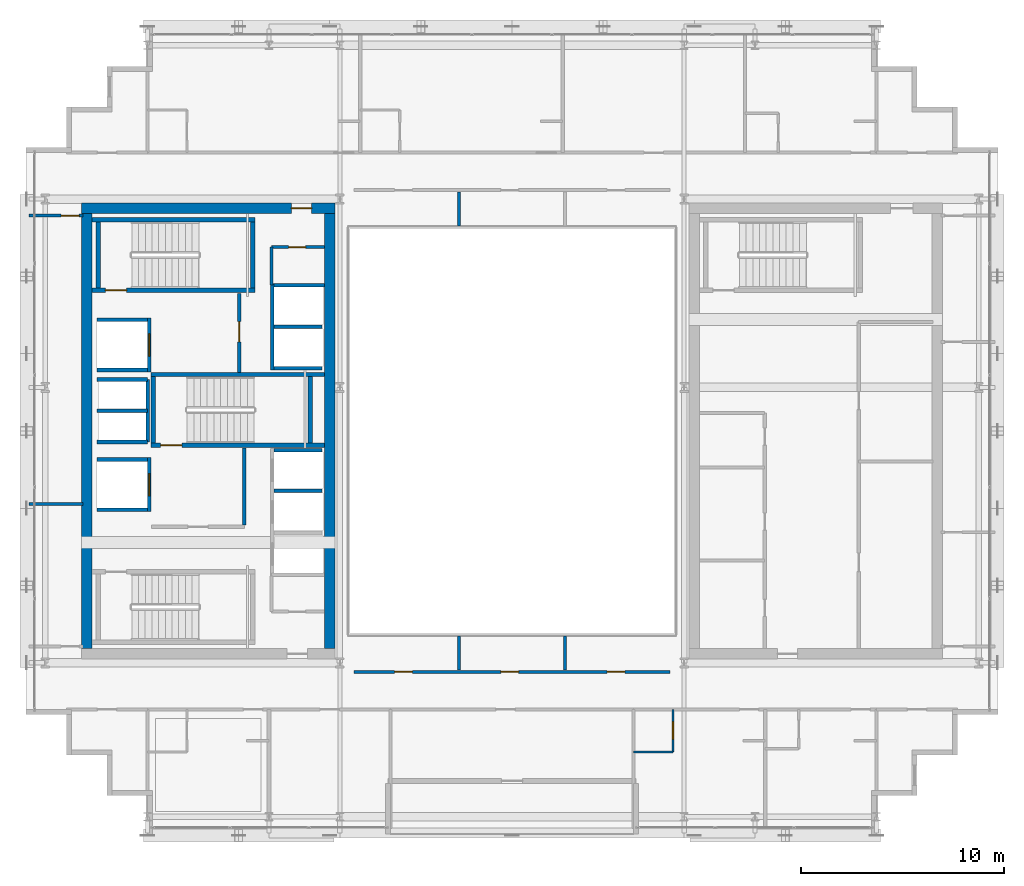
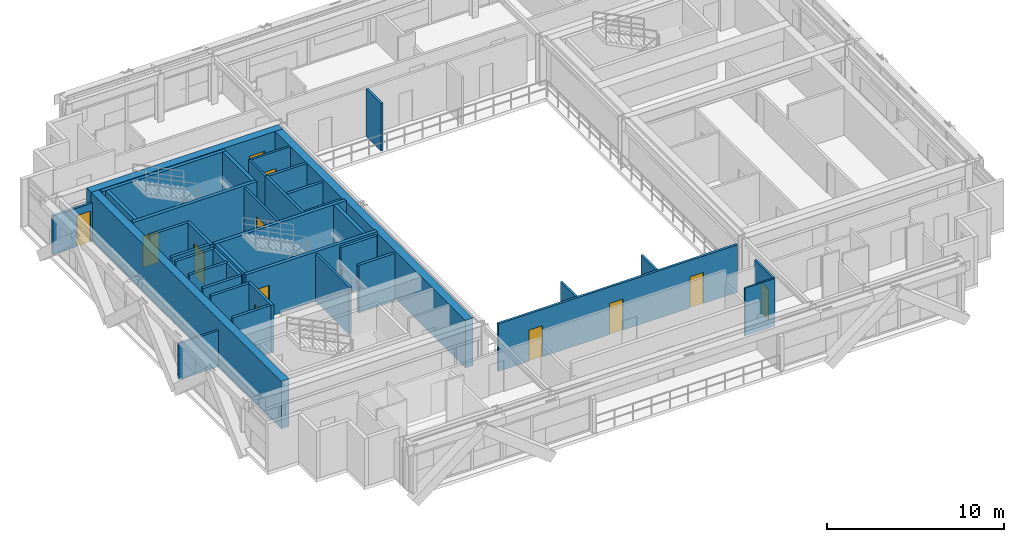
# One storey, part 25 of 32: 39 walls, 12 doors, 12 openings.
"""IFC4 building model written with IfcOpenShell, lengths in metres."""

from ifc_helpers import new_model, si_unit, direction, frame, frame_2d, origin, place, context, subcontext, project, spatial, rectangle, extrude, source, transform, mapped, material, layer, layer_set, type_object, element, fill, save


model = new_model("IFC4")

# Units and contexts
model_context = context("Model", 3, precision=1e-05, world=origin(), true_north=direction((0.0, 1.0)))
body_context = subcontext(model_context, "Body", "Model", "MODEL_VIEW")
ifc_project = project(units=[si_unit("LENGTHUNIT", "METRE"), si_unit("AREAUNIT", "SQUARE_METRE"), si_unit("VOLUMEUNIT", "CUBIC_METRE"), si_unit("PLANEANGLEUNIT", "RADIAN"), si_unit("MASSUNIT", "GRAM", prefix="KILO")], contexts=[model_context])

# Site, building, storey
site_placement = place(None, origin())
site = spatial("IfcSite", under=ifc_project, at=site_placement, CompositionType="ELEMENT")
building_placement = place(site_placement, origin())
building = spatial("IfcBuilding", under=site, at=building_placement, Name="Ocotamira Hotel", CompositionType="ELEMENT")
storey_placement = place(building_placement, frame((0.0, 0.0, 217.199951171875)))
storey = spatial("IfcBuildingStorey", under=building, at=storey_placement, Name="L55", CompositionType="ELEMENT", Elevation=217.199951171875)

# Wall, opening, door
ifc_material_1 = material(Name="Concrete C50/60", Category="concrete")
ifc_layer_1 = layer(ifc_material_1, 0.5)
ifc_layer_set_1 = layer_set([ifc_layer_1], Name="Concrete C50/60")
wall_type_1 = type_object("IfcWallType", Name="WL-CORE-500", PredefinedType="SHEAR", material=ifc_layer_set_1)
wall_1_placement = place(storey_placement, frame((10.75, 37.0, 0.0), z_axis=(0.0, 0.0, 1.0), x_axis=(1.0, 0.0, 0.0)))
wall_1 = element("IfcWall", 1, at=wall_1_placement, inside=storey, type_object=wall_type_1, Name="L55 Shear Core Wall WCORE-N", PredefinedType="SHEAR", context=body_context, shape_type="SweptSolid", body=[
    extrude(rectangle(XDim=12.5, YDim=0.5, at=frame_2d((6.25, 0.0))), origin(), (0.0, 0.0, 1.0), 3.280029296875),
])
opening_1_placement = place(wall_1_placement, frame((10.35009765625, 0.0, 0.0)))
opening_1 = element("IfcOpeningElement", 2, at=opening_1_placement, cuts=wall_1, Name="Opening D-FR2", PredefinedType="OPENING", context=body_context, shape_type="SweptSolid", body=[
    extrude(rectangle(XDim=1.0, YDim=2.14990234375, at=frame_2d((0.5, 1.074951171875))), frame((0.0, 0.260009765625, 0.0), z_axis=(0.0, -1.0, 0.0), x_axis=(1.0, 0.0, 0.0)), (0.0, 0.0, 1.0), 0.52001953125),
])
ifc_material_2 = material(Name="Fire-rated acoustic timber-veneer door", Category="wood")
door_type_1 = type_object("IfcDoorType", Name="DR-FIRE-1000", OperationType="NOTDEFINED", PredefinedType="DOOR", material=ifc_material_2)
shared_shape_1 = source(origin(), body_context, "Body", "SweptSolid", [
    extrude(rectangle(XDim=1.0, YDim=2.14990234375, at=frame_2d((0.5, 1.074951171875))), frame((0.0, 0.02490234375, 0.0), z_axis=(0.0, -1.0, 0.0), x_axis=(1.0, 0.0, 0.0)), (0.0, 0.0, 1.0), 0.050048828125),
])
door_1_placement = place(opening_1_placement, origin())
door_1 = element("IfcDoor", 3, at=door_1_placement, inside=storey, type_object=door_type_1, Name="L55 Door ID-L55-WLOB-N-D [ID-L55-WLOB-N-D]", OperationType="SINGLE_SWING_RIGHT", OverallHeight=2.14990234375, OverallWidth=1.0, PredefinedType="DOOR", context=body_context, shape_type="MappedRepresentation", body=[
    mapped(shared_shape_1, transform((0.0, 0.0, 0.0), scale=1.0)),
])
fill(opening_1, door_1)

# Walls
for number, where, z_axis, x_axis, name in (
    (4, (11.0, 15.25, 0.0), (0.0, 0.0, 1.0), (0.0, 1.0, 0.0), "L55 Shear Core Wall WCORE-W"),
    (5, (23.0, 15.25, 0.0), (0.0, 0.0, 1.0), (0.0, 1.0, 0.0), "L55 Shear Core Wall WCORE-E"),
):
    element("IfcWall", number, at=place(storey_placement, frame(where, z_axis=z_axis, x_axis=x_axis)), inside=storey, type_object=wall_type_1, Name=name, PredefinedType="SHEAR", context=body_context, shape_type="SweptSolid", body=[
        extrude(rectangle(XDim=21.5, YDim=0.5, at=frame_2d((10.75, 0.0))), origin(), (0.0, 0.0, 1.0), 3.280029296875),
    ])
ifc_material_3 = material(Name="Acoustic double-layer fire gypsum board partition", Category="gypsum")
ifc_layer_2 = layer(ifc_material_3, 0.159912109375)
ifc_layer_set_2 = layer_set([ifc_layer_2], Name="Acoustic double-layer fire gypsum board partition")
wall_type_2 = type_object("IfcWallType", Name="WL-FIRE-160", PredefinedType="PARTITIONING", material=ifc_layer_set_2)
wall_2_placement = place(storey_placement, frame((18.780029296875, 21.35009765625, 0.0), z_axis=(0.0, 0.0, 1.0), x_axis=(0.0, 1.0, 0.0)))
element("IfcWall", 6, at=wall_2_placement, inside=storey, type_object=wall_type_2, Name="L55 Interior Wall PW-L55-FSAE1-E", PredefinedType="PARTITIONING", context=body_context, shape_type="SweptSolid", body=[
    extrude(rectangle(XDim=3.809814453125, YDim=0.159912109375, at=frame_2d((1.90478515625, 0.0))), origin(), (0.0, 0.0, 1.0), 3.280029296875),
])

# Wall, opening, door
wall_3_placement = place(storey_placement, frame((18.530029296875, 28.89990234375, 0.0), z_axis=(0.0, 0.0, 1.0), x_axis=(0.0, 1.0, 0.0)))
wall_3 = element("IfcWall", 7, at=wall_3_placement, inside=storey, type_object=wall_type_2, Name="L55 Interior Wall PW-L55-FSAE2-E", PredefinedType="PARTITIONING", context=body_context, shape_type="SweptSolid", body=[
    extrude(rectangle(XDim=3.900146484375, YDim=0.159912109375, at=frame_2d((1.9501953125, 0.0))), origin(), (0.0, 0.0, 1.0), 3.280029296875),
])
opening_2_placement = place(wall_3_placement, frame((1.5, 0.0, 0.0)))
opening_2 = element("IfcOpeningElement", 8, at=opening_2_placement, cuts=wall_3, Name="Opening D-FR2", PredefinedType="OPENING", context=body_context, shape_type="SweptSolid", body=[
    extrude(rectangle(XDim=1.0, YDim=2.14990234375, at=frame_2d((0.5, 1.074951171875))), frame((0.0, 0.08984375, 0.0), z_axis=(0.0, -1.0, 0.0), x_axis=(1.0, 0.0, 0.0)), (0.0, 0.0, 1.0), 0.179931640625),
])
door_2_placement = place(opening_2_placement, origin())
door_2 = element("IfcDoor", 9, at=door_2_placement, inside=storey, type_object=door_type_1, Name="L55 Door ID-L55-FSAE2-D [ID-L55-FSAE2-D]", OperationType="SINGLE_SWING_RIGHT", OverallHeight=2.14990234375, OverallWidth=1.0, PredefinedType="DOOR", context=body_context, shape_type="MappedRepresentation", body=[
    mapped(shared_shape_1, transform((0.0, 0.0, 0.0), scale=1.0)),
])
fill(opening_2, door_2)

ifc_material_4 = material(Name="Moisture-resistant en-suite tile and gypsum partition", Category="gypsum")
ifc_layer_3 = layer(ifc_material_4, 0.1201171875)
ifc_layer_set_3 = layer_set([ifc_layer_3], Name="Moisture-resistant en-suite tile and gypsum partition")
wall_type_3 = type_object("IfcWallType", Name="WL-PART-120", PredefinedType="PARTITIONING", material=ifc_layer_set_3)
wall_4_placement = place(storey_placement, frame((39.949951171875, 10.14990234375, 0.0), z_axis=(0.0, 0.0, 1.0), x_axis=(0.0, 1.0, 0.0)))
wall_4 = element("IfcWall", 10, at=wall_4_placement, inside=storey, type_object=wall_type_3, Name="L55 Interior Wall PW-L55-Z3FSE-BAE1", PredefinedType="PARTITIONING", context=body_context, shape_type="SweptSolid", body=[
    extrude(rectangle(XDim=2.10009765625, YDim=0.1201171875, at=frame_2d((1.050048828125, 0.0))), origin(), (0.0, 0.0, 1.0), 3.280029296875),
])
opening_3_placement = place(wall_4_placement, frame((0.6201171875, 0.0, 0.0)))
opening_3 = element("IfcOpeningElement", 11, at=opening_3_placement, cuts=wall_4, Name="Opening D-BA1", PredefinedType="OPENING", context=body_context, shape_type="SweptSolid", body=[
    extrude(rectangle(XDim=0.860107421875, YDim=2.10009765625, at=frame_2d((0.43017578125, 1.050048828125))), frame((0.0, 0.070068359375, 0.0), z_axis=(0.0, -1.0, 0.0), x_axis=(1.0, 0.0, 0.0)), (0.0, 0.0, 1.0), 0.14013671875),
])
ifc_material_5 = material(Name="Moisture-sealed en-suite timber door", Category="wood")
door_type_2 = type_object("IfcDoorType", Name="DR-BATH-860", OperationType="NOTDEFINED", PredefinedType="DOOR", material=ifc_material_5)
shared_shape_2 = source(origin(), body_context, "Body", "SweptSolid", [
    extrude(rectangle(XDim=0.860107421875, YDim=2.10009765625, at=frame_2d((0.43017578125, 1.050048828125))), frame((0.0, 0.02490234375, 0.0), z_axis=(0.0, -1.0, 0.0), x_axis=(1.0, 0.0, 0.0)), (0.0, 0.0, 1.0), 0.050048828125),
])
door_3_placement = place(opening_3_placement, origin())
door_3 = element("IfcDoor", 12, at=door_3_placement, inside=storey, type_object=door_type_2, Name="L55 Door ID-L55-Z3FSE-BAD1 [ID-L55-Z3FSE-BAD1]", OperationType="SINGLE_SWING_RIGHT", OverallHeight=2.10009765625, OverallWidth=0.860107421875, PredefinedType="DOOR", context=body_context, shape_type="MappedRepresentation", body=[
    mapped(shared_shape_2, transform((0.0, 0.0, 0.0), scale=1.0)),
])
fill(opening_3, door_3)

# Walls
wall_5_placement = place(storey_placement, frame((38.0, 10.14990234375, 0.0), z_axis=(0.0, 0.0, 1.0), x_axis=(1.0, 0.0, 0.0)))
element("IfcWall", 13, at=wall_5_placement, inside=storey, type_object=wall_type_3, Name="L55 Interior Wall PW-L55-Z3FSE-BAS1", PredefinedType="PARTITIONING", context=body_context, shape_type="SweptSolid", body=[
    extrude(rectangle(XDim=1.949951171875, YDim=0.1201171875, at=frame_2d((0.97509765625, 0.0))), origin(), (0.0, 0.0, 1.0), 3.280029296875),
])
ifc_material_6 = material(Name="Acoustic hospitality gypsum board partition", Category="gypsum")
ifc_layer_4 = layer(ifc_material_6, 0.14208984375)
ifc_layer_set_4 = layer_set([ifc_layer_4], Name="Acoustic hospitality gypsum board partition")
wall_type_4 = type_object("IfcWallType", Name="WL-PART-142", PredefinedType="PARTITIONING", material=ifc_layer_set_4)
wall_6_placement = place(storey_placement, frame((20.1201171875, 33.219970703125, 0.0), z_axis=(0.0, 0.0, 1.0), x_axis=(0.0, 1.0, 0.0)))
element("IfcWall", 14, at=wall_6_placement, inside=storey, type_object=wall_type_4, Name="L55 Interior Wall PW-L55-WC-NE-W2", PredefinedType="PARTITIONING", context=body_context, shape_type="SweptSolid", body=[
    extrude(rectangle(XDim=1.860107421875, YDim=0.14208984375, at=frame_2d((0.93017578125, 0.0))), origin(), (0.0, 0.0, 1.0), 3.280029296875),
])

# Wall, opening, door
wall_7_placement = place(storey_placement, frame((20.1201171875, 35.080078125, 0.0), z_axis=(0.0, 0.0, 1.0), x_axis=(1.0, 0.0, 0.0)))
wall_7 = element("IfcWall", 15, at=wall_7_placement, inside=storey, type_object=wall_type_4, Name="L55 Interior Wall PW-L55-WC-NE-N2", PredefinedType="PARTITIONING", context=body_context, shape_type="SweptSolid", body=[
    extrude(rectangle(XDim=2.6298828125, YDim=0.14208984375, at=frame_2d((1.31494140625, 0.0))), origin(), (0.0, 0.0, 1.0), 3.280029296875),
])
opening_4_placement = place(wall_7_placement, frame((0.85009765625, 0.0, 0.0)))
opening_4 = element("IfcOpeningElement", 16, at=opening_4_placement, cuts=wall_7, Name="Opening D-SV1", PredefinedType="OPENING", context=body_context, shape_type="SweptSolid", body=[
    extrude(rectangle(XDim=0.840087890625, YDim=2.10009765625, at=frame_2d((0.419921875, 1.050048828125))), frame((0.0, 0.0810546875, 0.0), z_axis=(0.0, -1.0, 0.0), x_axis=(1.0, 0.0, 0.0)), (0.0, 0.0, 1.0), 0.162109375),
])
ifc_material_7 = material(Name="Fire-rated painted steel service door", Category="steel")
door_type_3 = type_object("IfcDoorType", Name="DR-SERV-840", OperationType="NOTDEFINED", PredefinedType="DOOR", material=ifc_material_7)
shared_shape_3 = source(origin(), body_context, "Body", "SweptSolid", [
    extrude(rectangle(XDim=0.840087890625, YDim=2.10009765625, at=frame_2d((0.419921875, 1.050048828125))), frame((0.0, 0.02490234375, 0.0), z_axis=(0.0, -1.0, 0.0), x_axis=(1.0, 0.0, 0.0)), (0.0, 0.0, 1.0), 0.050048828125),
])
door_4_placement = place(opening_4_placement, origin())
door_4 = element("IfcDoor", 17, at=door_4_placement, inside=storey, type_object=door_type_3, Name="L55 Door ID-L55-WC-NE-D2 [ID-L55-WC-NE-D2]", OperationType="SINGLE_SWING_RIGHT", OverallHeight=2.10009765625, OverallWidth=0.840087890625, PredefinedType="DOOR", context=body_context, shape_type="MappedRepresentation", body=[
    mapped(shared_shape_3, transform((0.0, 0.0, 0.0), scale=1.0)),
])
fill(opening_4, door_4)

# Walls
for number, where, z_axis, x_axis, name in (
    (18, (29.375, 14.199951171875, 0.0), (0.0, 0.0, 1.0), (0.0, 1.0, 0.0), "L55 Interior Wall PW-L55-Z3F-ASDV1"),
    (19, (29.375, 36.1201171875, 0.0), (0.0, 0.0, 1.0), (0.0, 1.0, 0.0), "L55 Interior Wall PW-L55-Z3F-ANDV1"),
    (20, (34.625, 14.199951171875, 0.0), (0.0, 0.0, 1.0), (0.0, 1.0, 0.0), "L55 Interior Wall PW-L55-Z3F-ASDV2"),
):
    element("IfcWall", number, at=place(storey_placement, frame(where, z_axis=z_axis, x_axis=x_axis)), inside=storey, type_object=wall_type_4, Name=name, PredefinedType="PARTITIONING", context=body_context, shape_type="SweptSolid", body=[
        extrude(rectangle(XDim=1.679931640625, YDim=0.14208984375, at=frame_2d((0.83984375, 0.0))), origin(), (0.0, 0.0, 1.0), 3.280029296875),
    ])
wall_8_placement = place(storey_placement, frame((8.159912109375, 22.39990234375, 0.0), z_axis=(0.0, 0.0, 1.0), x_axis=(1.0, 0.0, 0.0)))
element("IfcWall", 21, at=wall_8_placement, inside=storey, type_object=wall_type_4, Name="L55 Interior Wall PW-L55-Z3F-WF-DV1", PredefinedType="PARTITIONING", context=body_context, shape_type="SweptSolid", body=[
    extrude(rectangle(XDim=2.66015625, YDim=0.14208984375, at=frame_2d((1.330078125, 0.0))), origin(), (0.0, 0.0, 1.0), 2.5009765625),
])

# Wall, openings, doors
ifc_layer_5 = layer(ifc_material_6, 0.14990234375)
ifc_layer_set_5 = layer_set([ifc_layer_5], Name="Acoustic hospitality gypsum board partition")
wall_type_5 = type_object("IfcWallType", Name="WL-PART-150", PredefinedType="PARTITIONING", material=ifc_layer_set_5)
wall_9_placement = place(storey_placement, frame((24.199951171875, 14.10009765625, 0.0), z_axis=(0.0, 0.0, 1.0), x_axis=(1.0, 0.0, 0.0)))
wall_9 = element("IfcWall", 22, at=wall_9_placement, inside=storey, type_object=wall_type_5, Name="L55 Interior Wall PW-L55-Z3F-ATRSW", PredefinedType="PARTITIONING", context=body_context, shape_type="SweptSolid", body=[
    extrude(rectangle(XDim=15.60009765625, YDim=0.14990234375, at=frame_2d((7.800048828125, 0.0))), origin(), (0.0, 0.0, 1.0), 3.280029296875),
])
opening_5_placement = place(wall_9_placement, frame((2.0, 0.0, 0.0)))
opening_5 = element("IfcOpeningElement", 23, at=opening_5_placement, cuts=wall_9, Name="Opening D-SV2", PredefinedType="OPENING", context=body_context, shape_type="SweptSolid", body=[
    extrude(rectangle(XDim=0.8798828125, YDim=2.14990234375, at=frame_2d((0.43994140625, 1.074951171875))), frame((0.0, 0.0849609375, 0.0), z_axis=(0.0, -1.0, 0.0), x_axis=(1.0, 0.0, 0.0)), (0.0, 0.0, 1.0), 0.169921875),
])
opening_6_placement = place(wall_9_placement, frame((7.25, 0.0, 0.0)))
opening_6 = element("IfcOpeningElement", 24, at=opening_6_placement, cuts=wall_9, Name="Opening D-SV2", PredefinedType="OPENING", context=body_context, shape_type="SweptSolid", body=[
    extrude(rectangle(XDim=0.8798828125, YDim=2.14990234375, at=frame_2d((0.43994140625, 1.074951171875))), frame((0.0, 0.0849609375, 0.0), z_axis=(0.0, -1.0, 0.0), x_axis=(1.0, 0.0, 0.0)), (0.0, 0.0, 1.0), 0.169921875),
])
opening_7_placement = place(wall_9_placement, frame((12.5, 0.0, 0.0)))
opening_7 = element("IfcOpeningElement", 25, at=opening_7_placement, cuts=wall_9, Name="Opening D-SV2", PredefinedType="OPENING", context=body_context, shape_type="SweptSolid", body=[
    extrude(rectangle(XDim=0.8798828125, YDim=2.14990234375, at=frame_2d((0.43994140625, 1.074951171875))), frame((0.0, 0.0849609375, 0.0), z_axis=(0.0, -1.0, 0.0), x_axis=(1.0, 0.0, 0.0)), (0.0, 0.0, 1.0), 0.169921875),
])
door_type_4 = type_object("IfcDoorType", Name="DR-SERV-880", OperationType="NOTDEFINED", PredefinedType="DOOR", material=ifc_material_7)
shared_shape_4 = source(origin(), body_context, "Body", "SweptSolid", [
    extrude(rectangle(XDim=0.8798828125, YDim=2.14990234375, at=frame_2d((0.43994140625, 1.074951171875))), frame((0.0, 0.02490234375, 0.0), z_axis=(0.0, -1.0, 0.0), x_axis=(1.0, 0.0, 0.0)), (0.0, 0.0, 1.0), 0.050048828125),
])
door_5_placement = place(opening_5_placement, origin())
door_5 = element("IfcDoor", 26, at=door_5_placement, inside=storey, type_object=door_type_4, Name="L55 Door ID-L55-Z3F-ASDD1 [ID-L55-Z3F-ASDD1]", OperationType="SINGLE_SWING_LEFT", OverallHeight=2.14990234375, OverallWidth=0.8798828125, PredefinedType="DOOR", context=body_context, shape_type="MappedRepresentation", body=[
    mapped(shared_shape_4, transform((0.0, 0.0, 0.0), scale=1.0)),
])
fill(opening_5, door_5)
door_6_placement = place(opening_6_placement, origin())
door_6 = element("IfcDoor", 27, at=door_6_placement, inside=storey, type_object=door_type_4, Name="L55 Door ID-L55-Z3F-ASDD2 [ID-L55-Z3F-ASDD2]", OperationType="SINGLE_SWING_LEFT", OverallHeight=2.14990234375, OverallWidth=0.8798828125, PredefinedType="DOOR", context=body_context, shape_type="MappedRepresentation", body=[
    mapped(shared_shape_4, transform((0.0, 0.0, 0.0), scale=1.0)),
])
fill(opening_6, door_6)
door_7_placement = place(opening_7_placement, origin())
door_7 = element("IfcDoor", 28, at=door_7_placement, inside=storey, type_object=door_type_4, Name="L55 Door ID-L55-Z3F-ASDD3 [ID-L55-Z3F-ASDD3]", OperationType="SINGLE_SWING_LEFT", OverallHeight=2.14990234375, OverallWidth=0.8798828125, PredefinedType="DOOR", context=body_context, shape_type="MappedRepresentation", body=[
    mapped(shared_shape_4, transform((0.0, 0.0, 0.0), scale=1.0)),
])
fill(opening_7, door_7)

# Wall, opening, door
wall_10_placement = place(storey_placement, frame((8.159912109375, 36.639892578125, 0.0), z_axis=(0.0, 0.0, 1.0), x_axis=(1.0, 0.0, 0.0)))
wall_10 = element("IfcWall", 29, at=wall_10_placement, inside=storey, type_object=wall_type_5, Name="L55 Interior Wall PW-L55-Z3F-WF-WN", PredefinedType="PARTITIONING", context=body_context, shape_type="SweptSolid", body=[
    extrude(rectangle(XDim=2.66015625, YDim=0.14990234375, at=frame_2d((1.330078125, 0.0))), origin(), (0.0, 0.0, 1.0), 2.6630859375),
])
opening_8_placement = place(wall_10_placement, frame((1.580078125, 0.0, 0.0)))
opening_8 = element("IfcOpeningElement", 30, at=opening_8_placement, cuts=wall_10, Name="Opening D-SV2", PredefinedType="OPENING", context=body_context, shape_type="SweptSolid", body=[
    extrude(rectangle(XDim=0.8798828125, YDim=2.14990234375, at=frame_2d((0.43994140625, 1.074951171875))), frame((0.0, 0.0849609375, 0.0), z_axis=(0.0, -1.0, 0.0), x_axis=(1.0, 0.0, 0.0)), (0.0, 0.0, 1.0), 0.169921875),
])
door_8_placement = place(opening_8_placement, origin())
door_8 = element("IfcDoor", 31, at=door_8_placement, inside=storey, type_object=door_type_4, Name="L55 Door ID-L55-Z3F-WF-DN [ID-L55-Z3F-WF-DN]", OperationType="SINGLE_SWING_RIGHT", OverallHeight=2.14990234375, OverallWidth=0.8798828125, PredefinedType="DOOR", context=body_context, shape_type="MappedRepresentation", body=[
    mapped(shared_shape_4, transform((0.0, 0.0, 0.0), scale=1.0)),
])
fill(opening_8, door_8)

# Walls
ifc_material_8 = material(Name="Fire-rated gypsum shaftliner board assembly", Category="gypsum")
ifc_layer_6 = layer(ifc_material_8, 0.179931640625)
ifc_layer_set_6 = layer_set([ifc_layer_6], Name="Fire-rated gypsum shaftliner board assembly")
wall_type_6 = type_object("IfcWallType", Name="WL-SHAFT-180", PredefinedType="SOLIDWALL", material=ifc_layer_set_6)
for number, where, z_axis, x_axis, name in (
    (32, (20.25, 25.050048828125, 0.0), (0.0, 0.0, 1.0), (1.0, 0.0, 0.0), "L55 Interior Wall PW-L55-LFW-BANK-high-N"),
    (33, (20.25, 23.044921875, 0.0), (0.0, 0.0, 1.0), (1.0, 0.0, 0.0), "L55 Interior Wall PW-L55-LFW-DIV-LF-P8"),
):
    element("IfcWall", number, at=place(storey_placement, frame(where, z_axis=z_axis, x_axis=x_axis)), inside=storey, type_object=wall_type_6, Name=name, PredefinedType="SOLIDWALL", context=body_context, shape_type="SweptSolid", body=[
        extrude(rectangle(XDim=2.360107421875, YDim=0.179931640625, at=frame_2d((1.18017578125, 0.0))), origin(), (0.0, 0.0, 1.0), 3.280029296875),
    ])
wall_11_placement = place(storey_placement, frame((20.159912109375, 29.0, 0.0), z_axis=(0.0, 0.0, 1.0), x_axis=(0.0, 1.0, 0.0)))
element("IfcWall", 34, at=wall_11_placement, inside=storey, type_object=wall_type_6, Name="L55 Interior Wall PW-L55-LFW-BANK-obs-F", PredefinedType="SOLIDWALL", context=body_context, shape_type="SweptSolid", body=[
    extrude(rectangle(XDim=4.2900390625, YDim=0.179931640625, at=frame_2d((2.14501953125, 0.0))), origin(), (0.0, 0.0, 1.0), 3.280029296875),
])
wall_12_placement = place(storey_placement, frame((20.25, 29.090087890625, 0.0), z_axis=(0.0, 0.0, 1.0), x_axis=(1.0, 0.0, 0.0)))
element("IfcWall", 35, at=wall_12_placement, inside=storey, type_object=wall_type_6, Name="L55 Interior Wall PW-L55-LFW-BANK-obs-S", PredefinedType="SOLIDWALL", context=body_context, shape_type="SweptSolid", body=[
    extrude(rectangle(XDim=2.360107421875, YDim=0.179931640625, at=frame_2d((1.18017578125, 0.0))), origin(), (0.0, 0.0, 1.0), 3.280029296875),
])
wall_13_placement = place(storey_placement, frame((20.25, 33.199951171875, 0.0), z_axis=(0.0, 0.0, 1.0), x_axis=(1.0, 0.0, 0.0)))
element("IfcWall", 36, at=wall_13_placement, inside=storey, type_object=wall_type_6, Name="L55 Interior Wall PW-L55-LFW-BANK-obs-N", PredefinedType="SOLIDWALL", context=body_context, shape_type="SweptSolid", body=[
    extrude(rectangle(XDim=2.5, YDim=0.179931640625, at=frame_2d((1.25, 0.0))), origin(), (0.0, 0.0, 1.0), 3.280029296875),
])
wall_14_placement = place(storey_placement, frame((20.25, 31.14501953125, 0.0), z_axis=(0.0, 0.0, 1.0), x_axis=(1.0, 0.0, 0.0)))
element("IfcWall", 37, at=wall_14_placement, inside=storey, type_object=wall_type_6, Name="L55 Interior Wall PW-L55-LFW-DIV-LF-OBS1", PredefinedType="SOLIDWALL", context=body_context, shape_type="SweptSolid", body=[
    extrude(rectangle(XDim=2.360107421875, YDim=0.179931640625, at=frame_2d((1.18017578125, 0.0))), origin(), (0.0, 0.0, 1.0), 3.280029296875),
])
for number, where, z_axis, x_axis, name in (
    (38, (11.5, 22.110107421875, 0.0), (0.0, 0.0, 1.0), (1.0, 0.0, 0.0), "L55 Interior Wall PW-L55-LFW-LF-FSAE1-S"),
    (39, (11.5, 24.590087890625, 0.0), (0.0, 0.0, 1.0), (1.0, 0.0, 0.0), "L55 Interior Wall PW-L55-LFW-LF-FSAE1-N"),
):
    element("IfcWall", number, at=place(storey_placement, frame(where, z_axis=z_axis, x_axis=x_axis)), inside=storey, type_object=wall_type_6, Name=name, PredefinedType="SOLIDWALL", context=body_context, shape_type="SweptSolid", body=[
        extrude(rectangle(XDim=2.5, YDim=0.179931640625, at=frame_2d((1.25, 0.0))), origin(), (0.0, 0.0, 1.0), 3.280029296875),
    ])

# Wall, opening, door
wall_15_placement = place(storey_placement, frame((14.090087890625, 22.02001953125, 0.0), z_axis=(0.0, 0.0, 1.0), x_axis=(0.0, 1.0, 0.0)))
wall_15 = element("IfcWall", 40, at=wall_15_placement, inside=storey, type_object=wall_type_6, Name="L55 Interior Wall PW-L55-LFW-LF-FSAE1-E", PredefinedType="SOLIDWALL", context=body_context, shape_type="SweptSolid", body=[
    extrude(rectangle(XDim=2.659912109375, YDim=0.179931640625, at=frame_2d((1.330078125, 0.0))), origin(), (0.0, 0.0, 1.0), 3.280029296875),
])
opening_9_placement = place(wall_15_placement, frame((0.780029296875, 0.0, 0.0)))
opening_9 = element("IfcOpeningElement", 41, at=opening_9_placement, cuts=wall_15, Name="Opening LD-LF-FSAE1", PredefinedType="OPENING", context=body_context, shape_type="SweptSolid", body=[
    extrude(rectangle(XDim=1.10009765625, YDim=2.199951171875, at=frame_2d((0.550048828125, 1.10009765625))), frame((0.0, 0.10009765625, 0.0), z_axis=(0.0, -1.0, 0.0), x_axis=(1.0, 0.0, 0.0)), (0.0, 0.0, 1.0), 0.199951171875),
])
ifc_material_9 = material(Name="Brushed pale-metal stainless elevator landing door", Category="steel")
door_type_5 = type_object("IfcDoorType", Name="DR-LIFT-1100", OperationType="NOTDEFINED", PredefinedType="DOOR", material=ifc_material_9)
shared_shape_5 = source(origin(), body_context, "Body", "SweptSolid", [
    extrude(rectangle(XDim=1.10009765625, YDim=2.199951171875, at=frame_2d((0.550048828125, 1.10009765625))), frame((0.0, 0.02490234375, 0.0), z_axis=(0.0, -1.0, 0.0), x_axis=(1.0, 0.0, 0.0)), (0.0, 0.0, 1.0), 0.050048828125),
])
door_9_placement = place(opening_9_placement, origin())
door_9 = element("IfcDoor", 42, at=door_9_placement, inside=storey, type_object=door_type_5, Name="L55 Landing Door LD-LF-FSAE1 [ID-L55-LD-LF-FSAE1]", OperationType="DOUBLE_DOOR_SLIDING", OverallHeight=2.199951171875, OverallWidth=1.10009765625, PredefinedType="DOOR", context=body_context, shape_type="MappedRepresentation", body=[
    mapped(shared_shape_5, transform((0.0, 0.0, 0.0), scale=1.0)),
])
fill(opening_9, door_9)

# Walls
for number, where, z_axis, x_axis, name in (
    (43, (11.5, 29.010009765625, 0.0), (0.0, 0.0, 1.0), (1.0, 0.0, 0.0), "L55 Interior Wall PW-L55-LFW-LF-FSAE2-S"),
    (44, (11.5, 31.489990234375, 0.0), (0.0, 0.0, 1.0), (1.0, 0.0, 0.0), "L55 Interior Wall PW-L55-LFW-LF-FSAE2-N"),
):
    element("IfcWall", number, at=place(storey_placement, frame(where, z_axis=z_axis, x_axis=x_axis)), inside=storey, type_object=wall_type_6, Name=name, PredefinedType="SOLIDWALL", context=body_context, shape_type="SweptSolid", body=[
        extrude(rectangle(XDim=2.5, YDim=0.179931640625, at=frame_2d((1.25, 0.0))), origin(), (0.0, 0.0, 1.0), 3.280029296875),
    ])

# Wall, opening, door
wall_16_placement = place(storey_placement, frame((14.090087890625, 28.919921875, 0.0), z_axis=(0.0, 0.0, 1.0), x_axis=(0.0, 1.0, 0.0)))
wall_16 = element("IfcWall", 45, at=wall_16_placement, inside=storey, type_object=wall_type_6, Name="L55 Interior Wall PW-L55-LFW-LF-FSAE2-E", PredefinedType="SOLIDWALL", context=body_context, shape_type="SweptSolid", body=[
    extrude(rectangle(XDim=2.66015625, YDim=0.179931640625, at=frame_2d((1.330078125, 0.0))), origin(), (0.0, 0.0, 1.0), 3.280029296875),
])
opening_10_placement = place(wall_16_placement, frame((0.780029296875, 0.0, 0.0)))
opening_10 = element("IfcOpeningElement", 46, at=opening_10_placement, cuts=wall_16, Name="Opening LD-LF-FSAE2", PredefinedType="OPENING", context=body_context, shape_type="SweptSolid", body=[
    extrude(rectangle(XDim=1.10009765625, YDim=2.199951171875, at=frame_2d((0.550048828125, 1.10009765625))), frame((0.0, 0.10009765625, 0.0), z_axis=(0.0, -1.0, 0.0), x_axis=(1.0, 0.0, 0.0)), (0.0, 0.0, 1.0), 0.199951171875),
])
door_10_placement = place(opening_10_placement, origin())
door_10 = element("IfcDoor", 47, at=door_10_placement, inside=storey, type_object=door_type_5, Name="L55 Landing Door LD-LF-FSAE2 [ID-L55-LD-LF-FSAE2]", OperationType="DOUBLE_DOOR_SLIDING", OverallHeight=2.199951171875, OverallWidth=1.10009765625, PredefinedType="DOOR", context=body_context, shape_type="MappedRepresentation", body=[
    mapped(shared_shape_5, transform((0.0, 0.0, 0.0), scale=1.0)),
])
fill(opening_10, door_10)

# Walls
for number, where, z_axis, x_axis, name in (
    (48, (11.5, 25.4599609375, 0.0), (0.0, 0.0, 1.0), (1.0, 0.0, 0.0), "L55 Interior Wall PW-L55-RSW-S"),
    (49, (11.5, 27.0, 0.0), (0.0, 0.0, 1.0), (1.0, 0.0, 0.0), "L55 Interior Wall PW-L55-RSW-MID"),
    (50, (11.5, 28.5400390625, 0.0), (0.0, 0.0, 1.0), (1.0, 0.0, 0.0), "L55 Interior Wall PW-L55-RSW-N"),
):
    element("IfcWall", number, at=place(storey_placement, frame(where, z_axis=z_axis, x_axis=x_axis)), inside=storey, type_object=wall_type_6, Name=name, PredefinedType="SOLIDWALL", context=body_context, shape_type="SweptSolid", body=[
        extrude(rectangle(XDim=2.510009765625, YDim=0.179931640625, at=frame_2d((1.2548828125, 0.0))), origin(), (0.0, 0.0, 1.0), 3.280029296875),
    ])
wall_17_placement = place(storey_placement, frame((14.010009765625, 25.4599609375, 0.0), z_axis=(0.0, 0.0, 1.0), x_axis=(0.0, 1.0, 0.0)))
element("IfcWall", 51, at=wall_17_placement, inside=storey, type_object=wall_type_6, Name="L55 Interior Wall PW-L55-RSW-E", PredefinedType="SOLIDWALL", context=body_context, shape_type="SweptSolid", body=[
    extrude(rectangle(XDim=3.080078125, YDim=0.179931640625, at=frame_2d((1.5400390625, 0.0))), origin(), (0.0, 0.0, 1.0), 3.280029296875),
])

# Wall, opening, door
ifc_layer_7 = layer(ifc_material_1, 0.219970703125)
ifc_layer_set_7 = layer_set([ifc_layer_7], Name="Concrete C50/60")
wall_type_7 = type_object("IfcWallType", Name="WL-STAIR-220", PredefinedType="SHEAR", material=ifc_layer_set_7)
wall_18_placement = place(storey_placement, frame((11.25, 32.93994140625, 0.0), z_axis=(0.0, 0.0, 1.0), x_axis=(1.0, 0.0, 0.0)))
wall_18 = element("IfcWall", 52, at=wall_18_placement, inside=storey, type_object=wall_type_7, Name="L55 Stair Shaft Structural Wall ST-2-S", PredefinedType="SHEAR", context=body_context, shape_type="SweptSolid", body=[
    extrude(rectangle(XDim=8.06005859375, YDim=0.219970703125, at=frame_2d((4.030029296875, 0.0))), origin(), (0.0, 0.0, 1.0), 3.400146484375),
])
opening_11_placement = place(wall_18_placement, frame((0.669921875, 0.0, 0.0)))
opening_11 = element("IfcOpeningElement", 53, at=opening_11_placement, cuts=wall_18, Name="Opening D-ST2", PredefinedType="OPENING", context=body_context, shape_type="SweptSolid", body=[
    extrude(rectangle(XDim=1.050048828125, YDim=2.14990234375, at=frame_2d((0.52490234375, 1.074951171875))), frame((0.0, 0.1201171875, 0.0), z_axis=(0.0, -1.0, 0.0), x_axis=(1.0, 0.0, 0.0)), (0.0, 0.0, 1.0), 0.239990234375),
])
ifc_material_10 = material(Name="Insulated painted hollow-metal fire exit door", Category="steel")
door_type_6 = type_object("IfcDoorType", Name="DR-STAIR-1050", OperationType="NOTDEFINED", PredefinedType="DOOR", material=ifc_material_10)
shared_shape_6 = source(origin(), body_context, "Body", "SweptSolid", [
    extrude(rectangle(XDim=1.050048828125, YDim=2.14990234375, at=frame_2d((0.52490234375, 1.074951171875))), frame((0.0, 0.02490234375, 0.0), z_axis=(0.0, -1.0, 0.0), x_axis=(1.0, 0.0, 0.0)), (0.0, 0.0, 1.0), 0.050048828125),
])
door_11_placement = place(opening_11_placement, origin())
door_11 = element("IfcDoor", 54, at=door_11_placement, inside=storey, type_object=door_type_6, Name="L55 Door ID-L55-STD-ST-2 [ID-L55-STD-ST-2]", OperationType="SINGLE_SWING_LEFT", OverallHeight=2.14990234375, OverallWidth=1.050048828125, PredefinedType="DOOR", context=body_context, shape_type="MappedRepresentation", body=[
    mapped(shared_shape_6, transform((0.0, 0.0, 0.0), scale=1.0)),
])
fill(opening_11, door_11)

# Walls
wall_19_placement = place(storey_placement, frame((11.25, 36.43994140625, 0.0), z_axis=(0.0, 0.0, 1.0), x_axis=(1.0, 0.0, 0.0)))
element("IfcWall", 55, at=wall_19_placement, inside=storey, type_object=wall_type_7, Name="L55 Stair Shaft Structural Wall ST-2-N", PredefinedType="SHEAR", context=body_context, shape_type="SweptSolid", body=[
    extrude(rectangle(XDim=8.06005859375, YDim=0.219970703125, at=frame_2d((4.030029296875, 0.0))), origin(), (0.0, 0.0, 1.0), 3.400146484375),
])
for number, where, z_axis, x_axis, name in (
    (56, (11.56005859375, 33.050048828125, 0.0), (0.0, 0.0, 1.0), (0.0, 1.0, 0.0), "L55 Stair Shaft Structural Wall ST-2-W"),
    (57, (19.199951171875, 33.050048828125, 0.0), (0.0, 0.0, 1.0), (0.0, 1.0, 0.0), "L55 Stair Shaft Structural Wall ST-2-E"),
):
    element("IfcWall", number, at=place(storey_placement, frame(where, z_axis=z_axis, x_axis=x_axis)), inside=storey, type_object=wall_type_7, Name=name, PredefinedType="SHEAR", context=body_context, shape_type="SweptSolid", body=[
        extrude(rectangle(XDim=3.280029296875, YDim=0.219970703125, at=frame_2d((1.64013671875, 0.0))), origin(), (0.0, 0.0, 1.0), 3.400146484375),
    ])

# Wall, opening, door
wall_20_placement = place(storey_placement, frame((14.179931640625, 25.2900390625, 0.0), z_axis=(0.0, 0.0, 1.0), x_axis=(1.0, 0.0, 0.0)))
wall_20 = element("IfcWall", 58, at=wall_20_placement, inside=storey, type_object=wall_type_7, Name="L55 Stair Shaft Structural Wall ST-3-S", PredefinedType="SHEAR", context=body_context, shape_type="SweptSolid", body=[
    extrude(rectangle(XDim=8.570068359375, YDim=0.219970703125, at=frame_2d((4.28515625, 0.0))), origin(), (0.0, 0.0, 1.0), 3.400146484375),
])
opening_12_placement = place(wall_20_placement, frame((0.469970703125, 0.0, 0.0)))
opening_12 = element("IfcOpeningElement", 59, at=opening_12_placement, cuts=wall_20, Name="Opening D-ST2", PredefinedType="OPENING", context=body_context, shape_type="SweptSolid", body=[
    extrude(rectangle(XDim=1.050048828125, YDim=2.14990234375, at=frame_2d((0.52490234375, 1.074951171875))), frame((0.0, 0.1201171875, 0.0), z_axis=(0.0, -1.0, 0.0), x_axis=(1.0, 0.0, 0.0)), (0.0, 0.0, 1.0), 0.239990234375),
])
door_12_placement = place(opening_12_placement, origin())
door_12 = element("IfcDoor", 60, at=door_12_placement, inside=storey, type_object=door_type_6, Name="L55 Door ID-L55-STD-ST-3 [ID-L55-STD-ST-3]", OperationType="SINGLE_SWING_RIGHT", OverallHeight=2.14990234375, OverallWidth=1.050048828125, PredefinedType="DOOR", context=body_context, shape_type="MappedRepresentation", body=[
    mapped(shared_shape_6, transform((0.0, 0.0, 0.0), scale=1.0)),
])
fill(opening_12, door_12)

# Walls
wall_21_placement = place(storey_placement, frame((14.179931640625, 28.7900390625, 0.0), z_axis=(0.0, 0.0, 1.0), x_axis=(1.0, 0.0, 0.0)))
element("IfcWall", 61, at=wall_21_placement, inside=storey, type_object=wall_type_7, Name="L55 Stair Shaft Structural Wall ST-3-N", PredefinedType="SHEAR", context=body_context, shape_type="SweptSolid", body=[
    extrude(rectangle(XDim=8.570068359375, YDim=0.219970703125, at=frame_2d((4.28515625, 0.0))), origin(), (0.0, 0.0, 1.0), 3.400146484375),
])
for number, where, z_axis, x_axis, name in (
    (62, (14.2900390625, 25.39990234375, 0.0), (0.0, 0.0, 1.0), (0.0, 1.0, 0.0), "L55 Stair Shaft Structural Wall ST-3-W"),
    (63, (22.030029296875, 25.39990234375, 0.0), (0.0, 0.0, 1.0), (0.0, 1.0, 0.0), "L55 Stair Shaft Structural Wall ST-3-E"),
):
    element("IfcWall", number, at=place(storey_placement, frame(where, z_axis=z_axis, x_axis=x_axis)), inside=storey, type_object=wall_type_7, Name=name, PredefinedType="SHEAR", context=body_context, shape_type="SweptSolid", body=[
        extrude(rectangle(XDim=3.280029296875, YDim=0.219970703125, at=frame_2d((1.64013671875, 0.0))), origin(), (0.0, 0.0, 1.0), 3.400146484375),
    ])

save(model, "model.ifc")
